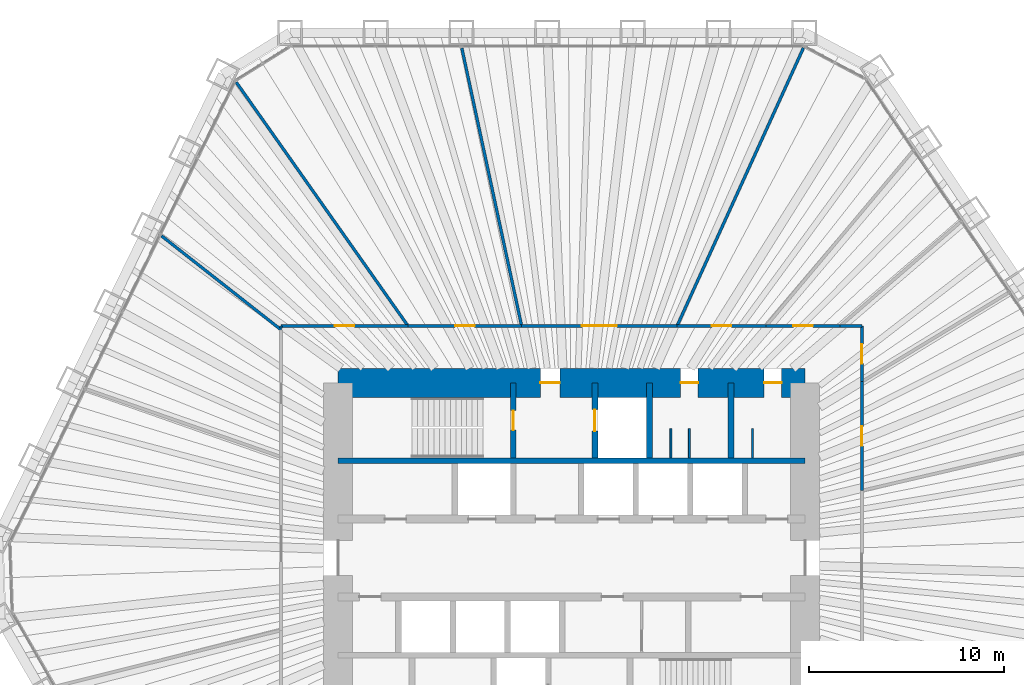
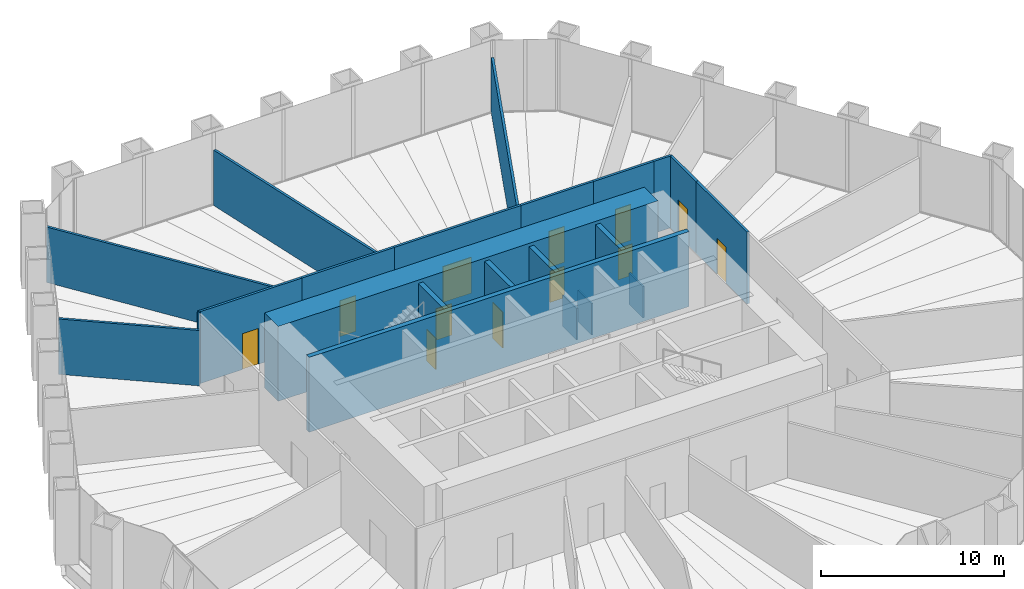
# One storey, part 12 of 14: 22 walls, 12 doors, 12 openings.
"""IFC4 building model written with IfcOpenShell, lengths in metres."""

from ifc_helpers import new_model, si_unit, direction, frame, frame_2d, origin, place, context, subcontext, project, spatial, rectangle, extrude, material, layer, layer_set, type_object, element, fill, save


model = new_model("IFC4")

# Units and contexts
model_context = context("Model", 3, precision=1e-05, world=origin(), true_north=direction((0.0, 1.0)))
body_context = subcontext(model_context, "Body", "Model", "MODEL_VIEW")
ifc_project = project(units=[si_unit("LENGTHUNIT", "METRE"), si_unit("AREAUNIT", "SQUARE_METRE"), si_unit("VOLUMEUNIT", "CUBIC_METRE"), si_unit("PLANEANGLEUNIT", "RADIAN"), si_unit("MASSUNIT", "GRAM", prefix="KILO")], contexts=[model_context])

# Site, building, storey
site_placement = place(None, origin())
site = spatial("IfcSite", under=ifc_project, at=site_placement, CompositionType="ELEMENT")
building_placement = place(site_placement, origin())
building = spatial("IfcBuilding", under=site, at=building_placement, Name="Qingtian Harvest Tower", CompositionType="ELEMENT")
storey_placement = place(building_placement, frame((0.0, 0.0, 82.0)))
storey = spatial("IfcBuildingStorey", under=building, at=storey_placement, Name="L16", CompositionType="ELEMENT", Elevation=82.0)

# Wall
ifc_material_1 = material(Name="Concrete fc' 70 MPa", Category="concrete")
ifc_layer_1 = layer(ifc_material_1, 0.300048828125)
ifc_layer_set_1 = layer_set([ifc_layer_1], Name="Core inner wall RC5 300")
wall_type_1 = type_object("IfcWallType", Name="Core inner wall RC5 300", PredefinedType="SHEAR", material=ifc_layer_set_1)
wall_1_placement = place(storey_placement, frame((-12.0, 5.0, 0.0), z_axis=(0.0, 0.0, 1.0), x_axis=(1.0, 0.0, 0.0)))
element("IfcWall", 1, at=wall_1_placement, inside=storey, type_object=wall_type_1, Name="Core wall IN5 L16", PredefinedType="SHEAR", context=body_context, shape_type="SweptSolid", body=[
    extrude(rectangle(XDim=24.0, YDim=0.300048828125, at=frame_2d((12.0, 0.0))), origin(), (0.0, 0.0, 1.0), 5.0),
])

# Wall, opening, door
ifc_material_2 = material(Name="Precast concrete shaft panel", Category="concrete")
ifc_layer_2 = layer(ifc_material_2, 0.300048828125)
ifc_layer_set_2 = layer_set([ifc_layer_2], Name="Core shaft partition SW1 300")
wall_type_2 = type_object("IfcWallType", Name="Core shaft partition SW1 300", PredefinedType="PARTITIONING", material=ifc_layer_set_2)
wall_2_placement = place(storey_placement, frame((-3.0, 5.14990234375, 0.0), z_axis=(0.0, 0.0, 1.0), x_axis=(0.0, 1.0, 0.0)))
wall_2 = element("IfcWall", 2, at=wall_2_placement, inside=storey, type_object=wall_type_2, Name="Core shaft partition XN1 L16", PredefinedType="PARTITIONING", context=body_context, shape_type="SweptSolid", body=[
    extrude(rectangle(XDim=3.85009765625, YDim=0.300048828125, at=frame_2d((1.925048828125, 0.0))), origin(), (0.0, 0.0, 1.0), 4.780029296875),
])
opening_1_placement = place(wall_2_placement, frame((1.425048828125, 0.0, 0.0)))
opening_1 = element("IfcOpeningElement", 3, at=opening_1_placement, cuts=wall_2, Name="Opening FD1", PredefinedType="OPENING", context=body_context, shape_type="SweptSolid", body=[
    extrude(rectangle(XDim=1.0, YDim=2.10009765625, at=frame_2d((0.5, 1.050048828125))), frame((0.0, 0.159912109375, 0.0), z_axis=(0.0, -1.0, 0.0), x_axis=(1.0, 0.0, 0.0)), (0.0, 0.0, 1.0), 0.320068359375),
])
ifc_material_3 = material(Name="Steel-faced door leaf", Category="steel")
door_type_1 = type_object("IfcDoorType", Name="Fire door FD1 single 1 HR", OperationType="SINGLE_SWING_LEFT", PredefinedType="DOOR", material=ifc_material_3)
door_1_placement = place(opening_1_placement, origin())
door_1 = element("IfcDoor", 4, at=door_1_placement, inside=storey, type_object=door_type_1, Name="S1 door L16", OperationType="SINGLE_SWING_LEFT", OverallHeight=2.10009765625, OverallWidth=1.0, PredefinedType="DOOR", context=body_context, shape_type="SweptSolid", body=[
    extrude(rectangle(XDim=1.0, YDim=2.10009765625, at=frame_2d((0.5, 1.050048828125))), frame((0.0, 0.02490234375, 0.0), z_axis=(0.0, -1.0, 0.0), x_axis=(1.0, 0.0, 0.0)), (0.0, 0.0, 1.0), 0.050048828125),
])
fill(opening_1, door_1)

wall_3_placement = place(storey_placement, frame((1.199951171875, 5.14990234375, 0.0), z_axis=(0.0, 0.0, 1.0), x_axis=(0.0, 1.0, 0.0)))
wall_3 = element("IfcWall", 5, at=wall_3_placement, inside=storey, type_object=wall_type_2, Name="Core shaft partition XN2 L16", PredefinedType="PARTITIONING", context=body_context, shape_type="SweptSolid", body=[
    extrude(rectangle(XDim=3.85009765625, YDim=0.300048828125, at=frame_2d((1.925048828125, 0.0))), origin(), (0.0, 0.0, 1.0), 4.780029296875),
])
opening_2_placement = place(wall_3_placement, frame((1.375, 0.0, 0.0)))
opening_2 = element("IfcOpeningElement", 6, at=opening_2_placement, cuts=wall_3, Name="Opening LD1", PredefinedType="OPENING", context=body_context, shape_type="SweptSolid", body=[
    extrude(rectangle(XDim=1.10009765625, YDim=2.39990234375, at=frame_2d((0.550048828125, 1.199951171875))), frame((0.0, 0.159912109375, 0.0), z_axis=(0.0, -1.0, 0.0), x_axis=(1.0, 0.0, 0.0)), (0.0, 0.0, 1.0), 0.320068359375),
])
ifc_material_4 = material(Name="Stainless steel lift landing door", Category="steel")
door_type_2 = type_object("IfcDoorType", Name="Lift landing door LD1 1 HR", OperationType="DOUBLE_DOOR_SLIDING", PredefinedType="DOOR", material=ifc_material_4)
door_2_placement = place(opening_2_placement, origin())
door_2 = element("IfcDoor", 7, at=door_2_placement, inside=storey, type_object=door_type_2, Name="FL1 landing door L16", OperationType="DOUBLE_DOOR_SLIDING", OverallHeight=2.39990234375, OverallWidth=1.10009765625, PredefinedType="DOOR", context=body_context, shape_type="SweptSolid", body=[
    extrude(rectangle(XDim=1.10009765625, YDim=2.39990234375, at=frame_2d((0.550048828125, 1.199951171875))), frame((0.0, 0.02490234375, 0.0), z_axis=(0.0, -1.0, 0.0), x_axis=(1.0, 0.0, 0.0)), (0.0, 0.0, 1.0), 0.050048828125),
])
fill(opening_2, door_2)

# Walls
for number, where, z_axis, x_axis, name in (
    (8, (4.0, 5.14990234375, 0.0), (0.0, 0.0, 1.0), (0.0, 1.0, 0.0), "Core shaft partition XN3 L16"),
    (9, (8.199951171875, 5.14990234375, 0.0), (0.0, 0.0, 1.0), (0.0, 1.0, 0.0), "Core shaft partition XN4 L16"),
):
    element("IfcWall", number, at=place(storey_placement, frame(where, z_axis=z_axis, x_axis=x_axis)), inside=storey, type_object=wall_type_2, Name=name, PredefinedType="PARTITIONING", context=body_context, shape_type="SweptSolid", body=[
        extrude(rectangle(XDim=3.85009765625, YDim=0.300048828125, at=frame_2d((1.925048828125, 0.0))), origin(), (0.0, 0.0, 1.0), 4.780029296875),
    ])

# Wall, openings, doors
ifc_material_5 = material(Name="Concrete fc' 70 MPa", Category="concrete")
ifc_layer_3 = layer(ifc_material_5, 1.5)
ifc_layer_set_3 = layer_set([ifc_layer_3], Name="Core wall RC1 1500")
wall_type_3 = type_object("IfcWallType", Name="Core wall RC1 1500", PredefinedType="SHEAR", material=ifc_layer_set_3)
wall_4_placement = place(storey_placement, frame((-12.0, 9.0, 0.0), z_axis=(0.0, 0.0, 1.0), x_axis=(1.0, 0.0, 0.0)))
wall_4 = element("IfcWall", 10, at=wall_4_placement, inside=storey, type_object=wall_type_3, Name="Core wall CN L16", PredefinedType="SHEAR", context=body_context, shape_type="SweptSolid", body=[
    extrude(rectangle(XDim=24.0, YDim=1.5, at=frame_2d((12.0, 0.0))), origin(), (0.0, 0.0, 1.0), 5.0),
])
opening_3_placement = place(wall_4_placement, frame((10.39990234375, 0.0, 0.0)))
opening_3 = element("IfcOpeningElement", 11, at=opening_3_placement, cuts=wall_4, Name="Opening FD1", PredefinedType="OPENING", context=body_context, shape_type="SweptSolid", body=[
    extrude(rectangle(XDim=1.0, YDim=2.10009765625, at=frame_2d((0.5, 1.050048828125))), frame((0.0, 0.760009765625, 0.0), z_axis=(0.0, -1.0, 0.0), x_axis=(1.0, 0.0, 0.0)), (0.0, 0.0, 1.0), 1.52001953125),
])
opening_4_placement = place(wall_4_placement, frame((17.60009765625, 0.0, 0.0)))
opening_4 = element("IfcOpeningElement", 12, at=opening_4_placement, cuts=wall_4, Name="Opening D1", PredefinedType="OPENING", context=body_context, shape_type="SweptSolid", body=[
    extrude(rectangle(XDim=0.89990234375, YDim=2.10009765625, at=frame_2d((0.449951171875, 1.050048828125))), frame((0.0, 0.760009765625, 0.0), z_axis=(0.0, -1.0, 0.0), x_axis=(1.0, 0.0, 0.0)), (0.0, 0.0, 1.0), 1.52001953125),
])
opening_5_placement = place(wall_4_placement, frame((21.89990234375, 0.0, 0.0)))
opening_5 = element("IfcOpeningElement", 13, at=opening_5_placement, cuts=wall_4, Name="Opening D1", PredefinedType="OPENING", context=body_context, shape_type="SweptSolid", body=[
    extrude(rectangle(XDim=0.89990234375, YDim=2.10009765625, at=frame_2d((0.449951171875, 1.050048828125))), frame((0.0, 0.760009765625, 0.0), z_axis=(0.0, -1.0, 0.0), x_axis=(1.0, 0.0, 0.0)), (0.0, 0.0, 1.0), 1.52001953125),
])
door_3_placement = place(opening_3_placement, origin())
door_3 = element("IfcDoor", 14, at=door_3_placement, inside=storey, type_object=door_type_1, Name="V1 door L16", OperationType="SINGLE_SWING_RIGHT", OverallHeight=2.10009765625, OverallWidth=1.0, PredefinedType="DOOR", context=body_context, shape_type="SweptSolid", body=[
    extrude(rectangle(XDim=1.0, YDim=2.10009765625, at=frame_2d((0.5, 1.050048828125))), frame((0.0, 0.02490234375, 0.0), z_axis=(0.0, -1.0, 0.0), x_axis=(1.0, 0.0, 0.0)), (0.0, 0.0, 1.0), 0.050048828125),
])
fill(opening_3, door_3)
ifc_material_6 = material(Name="Laminated timber door leaf", Category="wood")
door_type_3 = type_object("IfcDoorType", Name="Toilet door D1 single", OperationType="SINGLE_SWING_LEFT", PredefinedType="DOOR", material=ifc_material_6)
door_4_placement = place(opening_4_placement, origin())
door_4 = element("IfcDoor", 15, at=door_4_placement, inside=storey, type_object=door_type_3, Name="WCM door L16", OperationType="SINGLE_SWING_RIGHT", OverallHeight=2.10009765625, OverallWidth=0.89990234375, PredefinedType="DOOR", context=body_context, shape_type="SweptSolid", body=[
    extrude(rectangle(XDim=0.89990234375, YDim=2.10009765625, at=frame_2d((0.449951171875, 1.050048828125))), frame((0.0, 0.02490234375, 0.0), z_axis=(0.0, -1.0, 0.0), x_axis=(1.0, 0.0, 0.0)), (0.0, 0.0, 1.0), 0.050048828125),
])
fill(opening_4, door_4)
door_5_placement = place(opening_5_placement, origin())
door_5 = element("IfcDoor", 16, at=door_5_placement, inside=storey, type_object=door_type_3, Name="WCF door L16", OperationType="SINGLE_SWING_RIGHT", OverallHeight=2.10009765625, OverallWidth=0.89990234375, PredefinedType="DOOR", context=body_context, shape_type="SweptSolid", body=[
    extrude(rectangle(XDim=0.89990234375, YDim=2.10009765625, at=frame_2d((0.449951171875, 1.050048828125))), frame((0.0, 0.02490234375, 0.0), z_axis=(0.0, -1.0, 0.0), x_axis=(1.0, 0.0, 0.0)), (0.0, 0.0, 1.0), 0.050048828125),
])
fill(opening_5, door_5)

# Walls
ifc_material_7 = material(Name="Gypsum board on steel studs", Category="steel")
ifc_layer_4 = layer(ifc_material_7, 0.14990234375)
ifc_layer_set_4 = layer_set([ifc_layer_4], Name="Partition PT1 150")
wall_type_4 = type_object("IfcWallType", Name="Partition PT1 150", PredefinedType="PARTITIONING", material=ifc_layer_set_4)
wall_5_placement = place(storey_placement, frame((-21.077392578125, 16.556640625, 0.0), z_axis=(0.0, 0.0, 1.0), x_axis=(0.78639413325, -0.617725074115, 0.0)))
element("IfcWall", 17, at=wall_5_placement, inside=storey, type_object=wall_type_4, Name="Tissue culture lab wall L16", PredefinedType="PARTITIONING", context=body_context, shape_type="SweptSolid", body=[
    extrude(rectangle(XDim=7.823486328125, YDim=0.14990234375, at=frame_2d((3.91162109375, 0.0))), origin(), (0.0, 0.0, 1.0), 3.699951171875),
])
wall_6_placement = place(storey_placement, frame((-14.925048828125, 11.819091796875, 0.0), z_axis=(0.0, 0.0, 1.0), x_axis=(0.0, 1.0, 0.0)))
element("IfcWall", 18, at=wall_6_placement, inside=storey, type_object=wall_type_4, Name="Tissue culture lab wall L16", PredefinedType="PARTITIONING", context=body_context, shape_type="SweptSolid", body=[
    extrude(rectangle(XDim=0.10595703125, YDim=0.14990234375, at=frame_2d((0.052978515625, 0.0))), origin(), (0.0, 0.0, 1.0), 4.800048828125),
])

# Wall, opening, door
wall_7_placement = place(storey_placement, frame((-14.925048828125, 11.925048828125, 0.0), z_axis=(0.0, 0.0, 1.0), x_axis=(1.0, 0.0, 0.0)))
wall_7 = element("IfcWall", 19, at=wall_7_placement, inside=storey, type_object=wall_type_4, Name="Tissue culture lab wall L16", PredefinedType="PARTITIONING", context=body_context, shape_type="SweptSolid", body=[
    extrude(rectangle(XDim=6.51953125, YDim=0.14990234375, at=frame_2d((3.259765625, 0.0))), origin(), (0.0, 0.0, 1.0), 4.800048828125),
])
opening_6_placement = place(wall_7_placement, frame((2.759765625, 0.0, 0.0)))
opening_6 = element("IfcOpeningElement", 20, at=opening_6_placement, cuts=wall_7, Name="Opening D2", PredefinedType="OPENING", context=body_context, shape_type="SweptSolid", body=[
    extrude(rectangle(XDim=1.0, YDim=2.39990234375, at=frame_2d((0.5, 1.199951171875))), frame((0.0, 0.0849609375, 0.0), z_axis=(0.0, -1.0, 0.0), x_axis=(1.0, 0.0, 0.0)), (0.0, 0.0, 1.0), 0.169921875),
])
ifc_material_8 = material(Name="Laminated timber door leaf", Category="wood")
door_type_4 = type_object("IfcDoorType", Name="Room door D2 single", OperationType="SINGLE_SWING_LEFT", PredefinedType="DOOR", material=ifc_material_8)
door_6_placement = place(opening_6_placement, origin())
door_6 = element("IfcDoor", 21, at=door_6_placement, inside=storey, type_object=door_type_4, Name="Tissue culture lab door L16", OperationType="SINGLE_SWING_LEFT", OverallHeight=2.39990234375, OverallWidth=1.0, PredefinedType="DOOR", context=body_context, shape_type="SweptSolid", body=[
    extrude(rectangle(XDim=1.0, YDim=2.39990234375, at=frame_2d((0.5, 1.199951171875))), frame((0.0, 0.02490234375, 0.0), z_axis=(0.0, -1.0, 0.0), x_axis=(1.0, 0.0, 0.0)), (0.0, 0.0, 1.0), 0.050048828125),
])
fill(opening_6, door_6)

# Wall
wall_8_placement = place(storey_placement, frame((-17.23681640625, 24.454345703125, 0.0), z_axis=(0.0, 0.0, 1.0), x_axis=(0.576120914166, -0.817364479446, 0.0)))
element("IfcWall", 22, at=wall_8_placement, inside=storey, type_object=wall_type_4, Name="Seminar room wall L16", PredefinedType="PARTITIONING", context=body_context, shape_type="SweptSolid", body=[
    extrude(rectangle(XDim=15.328857421875, YDim=0.14990234375, at=frame_2d((7.66455078125, 0.0))), origin(), (0.0, 0.0, 1.0), 3.699951171875),
])

# Wall, opening, door
wall_9_placement = place(storey_placement, frame((-8.405517578125, 11.925048828125, 0.0), z_axis=(0.0, 0.0, 1.0), x_axis=(1.0, 0.0, 0.0)))
wall_9 = element("IfcWall", 23, at=wall_9_placement, inside=storey, type_object=wall_type_4, Name="Seminar room wall L16", PredefinedType="PARTITIONING", context=body_context, shape_type="SweptSolid", body=[
    extrude(rectangle(XDim=5.838134765625, YDim=0.14990234375, at=frame_2d((2.9189453125, 0.0))), origin(), (0.0, 0.0, 1.0), 4.800048828125),
])
opening_7_placement = place(wall_9_placement, frame((2.4189453125, 0.0, 0.0)))
opening_7 = element("IfcOpeningElement", 24, at=opening_7_placement, cuts=wall_9, Name="Opening D2", PredefinedType="OPENING", context=body_context, shape_type="SweptSolid", body=[
    extrude(rectangle(XDim=1.0, YDim=2.39990234375, at=frame_2d((0.5, 1.199951171875))), frame((0.0, 0.0849609375, 0.0), z_axis=(0.0, -1.0, 0.0), x_axis=(1.0, 0.0, 0.0)), (0.0, 0.0, 1.0), 0.169921875),
])
door_7_placement = place(opening_7_placement, origin())
door_7 = element("IfcDoor", 25, at=door_7_placement, inside=storey, type_object=door_type_4, Name="Seminar room door L16", OperationType="SINGLE_SWING_LEFT", OverallHeight=2.39990234375, OverallWidth=1.0, PredefinedType="DOOR", context=body_context, shape_type="SweptSolid", body=[
    extrude(rectangle(XDim=1.0, YDim=2.39990234375, at=frame_2d((0.5, 1.199951171875))), frame((0.0, 0.02490234375, 0.0), z_axis=(0.0, -1.0, 0.0), x_axis=(1.0, 0.0, 0.0)), (0.0, 0.0, 1.0), 0.050048828125),
])
fill(opening_7, door_7)

# Wall
wall_10_placement = place(storey_placement, frame((-5.64111328125, 26.2021484375, 0.0), z_axis=(0.0, 0.0, 1.0), x_axis=(0.210468575843, -0.977600623252, 0.0)))
element("IfcWall", 26, at=wall_10_placement, inside=storey, type_object=wall_type_4, Name="Trial growing room wall L16", PredefinedType="PARTITIONING", context=body_context, shape_type="SweptSolid", body=[
    extrude(rectangle(XDim=14.604248046875, YDim=0.14990234375, at=frame_2d((7.30224609375, 0.0))), origin(), (0.0, 0.0, 1.0), 3.699951171875),
])

# Wall, opening, door
wall_11_placement = place(storey_placement, frame((-2.5673828125, 11.925048828125, 0.0), z_axis=(0.0, 0.0, 1.0), x_axis=(1.0, 0.0, 0.0)))
wall_11 = element("IfcWall", 27, at=wall_11_placement, inside=storey, type_object=wall_type_4, Name="Trial growing room wall L16", PredefinedType="PARTITIONING", context=body_context, shape_type="SweptSolid", body=[
    extrude(rectangle(XDim=7.988525390625, YDim=0.14990234375, at=frame_2d((3.994140625, 0.0))), origin(), (0.0, 0.0, 1.0), 4.800048828125),
])
opening_8_placement = place(wall_11_placement, frame((3.09423828125, 0.0, 0.0)))
opening_8 = element("IfcOpeningElement", 28, at=opening_8_placement, cuts=wall_11, Name="Opening D3", PredefinedType="OPENING", context=body_context, shape_type="SweptSolid", body=[
    extrude(rectangle(XDim=1.800048828125, YDim=2.39990234375, at=frame_2d((0.89990234375, 1.199951171875))), frame((0.0, 0.0849609375, 0.0), z_axis=(0.0, -1.0, 0.0), x_axis=(1.0, 0.0, 0.0)), (0.0, 0.0, 1.0), 0.169921875),
])
ifc_material_9 = material(Name="Laminated timber door leaf", Category="wood")
door_type_5 = type_object("IfcDoorType", Name="Room door D3 double", OperationType="DOUBLE_DOOR_DOUBLE_SWING", PredefinedType="DOOR", material=ifc_material_9)
door_8_placement = place(opening_8_placement, origin())
door_8 = element("IfcDoor", 29, at=door_8_placement, inside=storey, type_object=door_type_5, Name="Trial growing room door L16", OperationType="DOUBLE_DOOR_DOUBLE_SWING", OverallHeight=2.39990234375, OverallWidth=1.800048828125, PredefinedType="DOOR", context=body_context, shape_type="SweptSolid", body=[
    extrude(rectangle(XDim=1.800048828125, YDim=2.39990234375, at=frame_2d((0.89990234375, 1.199951171875))), frame((0.0, 0.02490234375, 0.0), z_axis=(0.0, -1.0, 0.0), x_axis=(1.0, 0.0, 0.0)), (0.0, 0.0, 1.0), 0.050048828125),
])
fill(opening_8, door_8)

# Wall
wall_12_placement = place(storey_placement, frame((11.914794921875, 26.208984375, 0.0), z_axis=(0.0, 0.0, 1.0), x_axis=(-0.4138533524, -0.910343563007, 0.0)))
element("IfcWall", 30, at=wall_12_placement, inside=storey, type_object=wall_type_4, Name="Nutrient dosing room wall L16", PredefinedType="PARTITIONING", context=body_context, shape_type="SweptSolid", body=[
    extrude(rectangle(XDim=15.690673828125, YDim=0.14990234375, at=frame_2d((7.84521484375, 0.0))), origin(), (0.0, 0.0, 1.0), 3.699951171875),
])

# Wall, opening, door
wall_13_placement = place(storey_placement, frame((5.421142578125, 11.925048828125, 0.0), z_axis=(0.0, 0.0, 1.0), x_axis=(1.0, 0.0, 0.0)))
wall_13 = element("IfcWall", 31, at=wall_13_placement, inside=storey, type_object=wall_type_4, Name="Nutrient dosing room wall L16", PredefinedType="PARTITIONING", context=body_context, shape_type="SweptSolid", body=[
    extrude(rectangle(XDim=4.577880859375, YDim=0.14990234375, at=frame_2d((2.2890625, 0.0))), origin(), (0.0, 0.0, 1.0), 4.800048828125),
])
opening_9_placement = place(wall_13_placement, frame((1.788818359375, 0.0, 0.0)))
opening_9 = element("IfcOpeningElement", 32, at=opening_9_placement, cuts=wall_13, Name="Opening D2", PredefinedType="OPENING", context=body_context, shape_type="SweptSolid", body=[
    extrude(rectangle(XDim=1.0, YDim=2.39990234375, at=frame_2d((0.5, 1.199951171875))), frame((0.0, 0.0849609375, 0.0), z_axis=(0.0, -1.0, 0.0), x_axis=(1.0, 0.0, 0.0)), (0.0, 0.0, 1.0), 0.169921875),
])
door_9_placement = place(opening_9_placement, origin())
door_9 = element("IfcDoor", 33, at=door_9_placement, inside=storey, type_object=door_type_4, Name="Nutrient dosing room door L16", OperationType="SINGLE_SWING_LEFT", OverallHeight=2.39990234375, OverallWidth=1.0, PredefinedType="DOOR", context=body_context, shape_type="SweptSolid", body=[
    extrude(rectangle(XDim=1.0, YDim=2.39990234375, at=frame_2d((0.5, 1.199951171875))), frame((0.0, 0.02490234375, 0.0), z_axis=(0.0, -1.0, 0.0), x_axis=(1.0, 0.0, 0.0)), (0.0, 0.0, 1.0), 0.050048828125),
])
fill(opening_9, door_9)

wall_14_placement = place(storey_placement, frame((9.9990234375, 11.925048828125, 0.0), z_axis=(0.0, 0.0, 1.0), x_axis=(1.0, 0.0, 0.0)))
wall_14 = element("IfcWall", 34, at=wall_14_placement, inside=storey, type_object=wall_type_4, Name="Autoclave room wall L16", PredefinedType="PARTITIONING", context=body_context, shape_type="SweptSolid", body=[
    extrude(rectangle(XDim=3.804931640625, YDim=0.14990234375, at=frame_2d((1.90234375, 0.0))), origin(), (0.0, 0.0, 1.0), 4.800048828125),
])
opening_10_placement = place(wall_14_placement, frame((1.40234375, 0.0, 0.0)))
opening_10 = element("IfcOpeningElement", 35, at=opening_10_placement, cuts=wall_14, Name="Opening D2", PredefinedType="OPENING", context=body_context, shape_type="SweptSolid", body=[
    extrude(rectangle(XDim=1.0, YDim=2.39990234375, at=frame_2d((0.5, 1.199951171875))), frame((0.0, 0.0849609375, 0.0), z_axis=(0.0, -1.0, 0.0), x_axis=(1.0, 0.0, 0.0)), (0.0, 0.0, 1.0), 0.169921875),
])
door_10_placement = place(opening_10_placement, origin())
door_10 = element("IfcDoor", 36, at=door_10_placement, inside=storey, type_object=door_type_4, Name="Autoclave room door L16", OperationType="SINGLE_SWING_LEFT", OverallHeight=2.39990234375, OverallWidth=1.0, PredefinedType="DOOR", context=body_context, shape_type="SweptSolid", body=[
    extrude(rectangle(XDim=1.0, YDim=2.39990234375, at=frame_2d((0.5, 1.199951171875))), frame((0.0, 0.02490234375, 0.0), z_axis=(0.0, -1.0, 0.0), x_axis=(1.0, 0.0, 0.0)), (0.0, 0.0, 1.0), 0.050048828125),
])
fill(opening_10, door_10)

# Wall
wall_15_placement = place(storey_placement, frame((13.803955078125, 11.925048828125, 0.0), z_axis=(0.0, 0.0, 1.0), x_axis=(1.0, 0.0, 0.0)))
element("IfcWall", 37, at=wall_15_placement, inside=storey, type_object=wall_type_4, Name="Gowning room wall L16", PredefinedType="PARTITIONING", context=body_context, shape_type="SweptSolid", body=[
    extrude(rectangle(XDim=1.12109375, YDim=0.14990234375, at=frame_2d((0.560546875, 0.0))), origin(), (0.0, 0.0, 1.0), 4.800048828125),
])

# Wall, opening, door
wall_16_placement = place(storey_placement, frame((14.925048828125, 11.925048828125, 0.0), z_axis=(0.0, 0.0, 1.0), x_axis=(0.0, -1.0, 0.0)))
wall_16 = element("IfcWall", 38, at=wall_16_placement, inside=storey, type_object=wall_type_4, Name="Gowning room wall L16", PredefinedType="PARTITIONING", context=body_context, shape_type="SweptSolid", body=[
    extrude(rectangle(XDim=2.864013671875, YDim=0.14990234375, at=frame_2d((1.43212890625, 0.0))), origin(), (0.0, 0.0, 1.0), 4.800048828125),
])
opening_11_placement = place(wall_16_placement, frame((0.931884765625, 0.0, 0.0)))
opening_11 = element("IfcOpeningElement", 39, at=opening_11_placement, cuts=wall_16, Name="Opening D2", PredefinedType="OPENING", context=body_context, shape_type="SweptSolid", body=[
    extrude(rectangle(XDim=1.0, YDim=2.39990234375, at=frame_2d((0.5, 1.199951171875))), frame((0.0, 0.0849609375, 0.0), z_axis=(0.0, -1.0, 0.0), x_axis=(1.0, 0.0, 0.0)), (0.0, 0.0, 1.0), 0.169921875),
])
door_11_placement = place(opening_11_placement, origin())
door_11 = element("IfcDoor", 40, at=door_11_placement, inside=storey, type_object=door_type_4, Name="Gowning room door L16", OperationType="SINGLE_SWING_RIGHT", OverallHeight=2.39990234375, OverallWidth=1.0, PredefinedType="DOOR", context=body_context, shape_type="SweptSolid", body=[
    extrude(rectangle(XDim=1.0, YDim=2.39990234375, at=frame_2d((0.5, 1.199951171875))), frame((0.0, 0.02490234375, 0.0), z_axis=(0.0, -1.0, 0.0), x_axis=(1.0, 0.0, 0.0)), (0.0, 0.0, 1.0), 0.050048828125),
])
fill(opening_11, door_11)

wall_17_placement = place(storey_placement, frame((14.925048828125, 9.06103515625, 0.0), z_axis=(0.0, 0.0, 1.0), x_axis=(0.0, -1.0, 0.0)))
wall_17 = element("IfcWall", 41, at=wall_17_placement, inside=storey, type_object=wall_type_4, Name="Quality lab wall L16", PredefinedType="PARTITIONING", context=body_context, shape_type="SweptSolid", body=[
    extrude(rectangle(XDim=5.600341796875, YDim=0.14990234375, at=frame_2d((2.80029296875, 0.0))), origin(), (0.0, 0.0, 1.0), 4.800048828125),
])
opening_12_placement = place(wall_17_placement, frame((2.30029296875, 0.0, 0.0)))
opening_12 = element("IfcOpeningElement", 42, at=opening_12_placement, cuts=wall_17, Name="Opening D2", PredefinedType="OPENING", context=body_context, shape_type="SweptSolid", body=[
    extrude(rectangle(XDim=1.0, YDim=2.39990234375, at=frame_2d((0.5, 1.199951171875))), frame((0.0, 0.0849609375, 0.0), z_axis=(0.0, -1.0, 0.0), x_axis=(1.0, 0.0, 0.0)), (0.0, 0.0, 1.0), 0.169921875),
])
door_12_placement = place(opening_12_placement, origin())
door_12 = element("IfcDoor", 43, at=door_12_placement, inside=storey, type_object=door_type_4, Name="Quality lab door L16", OperationType="SINGLE_SWING_RIGHT", OverallHeight=2.39990234375, OverallWidth=1.0, PredefinedType="DOOR", context=body_context, shape_type="SweptSolid", body=[
    extrude(rectangle(XDim=1.0, YDim=2.39990234375, at=frame_2d((0.5, 1.199951171875))), frame((0.0, 0.02490234375, 0.0), z_axis=(0.0, -1.0, 0.0), x_axis=(1.0, 0.0, 0.0)), (0.0, 0.0, 1.0), 0.050048828125),
])
fill(opening_12, door_12)

# Walls
ifc_material_10 = material(Name="Compact laminate cubicle partition", Category="plastic")
ifc_layer_5 = layer(ifc_material_10, 0.10009765625)
ifc_layer_set_5 = layer_set([ifc_layer_5], Name="WC cubicle partition WP1 100")
wall_type_5 = type_object("IfcWallType", Name="WC cubicle partition WP1 100", PredefinedType="PARTITIONING", material=ifc_layer_set_5)
for number, where, z_axis, x_axis, name in (
    (44, (5.10009765625, 5.14990234375, 0.0), (0.0, 0.0, 1.0), (0.0, 1.0, 0.0), "WC cubicle partition WCM L16"),
    (45, (6.050048828125, 5.14990234375, 0.0), (0.0, 0.0, 1.0), (0.0, 1.0, 0.0), "WC cubicle partition WCM L16"),
    (46, (9.300048828125, 5.14990234375, 0.0), (0.0, 0.0, 1.0), (0.0, 1.0, 0.0), "WC cubicle partition WCF L16"),
):
    element("IfcWall", number, at=place(storey_placement, frame(where, z_axis=z_axis, x_axis=x_axis)), inside=storey, type_object=wall_type_5, Name=name, PredefinedType="PARTITIONING", context=body_context, shape_type="SweptSolid", body=[
        extrude(rectangle(XDim=1.5, YDim=0.10009765625, at=frame_2d((0.75, 0.0))), origin(), (0.0, 0.0, 1.0), 2.10009765625),
    ])

save(model, "model.ifc")
